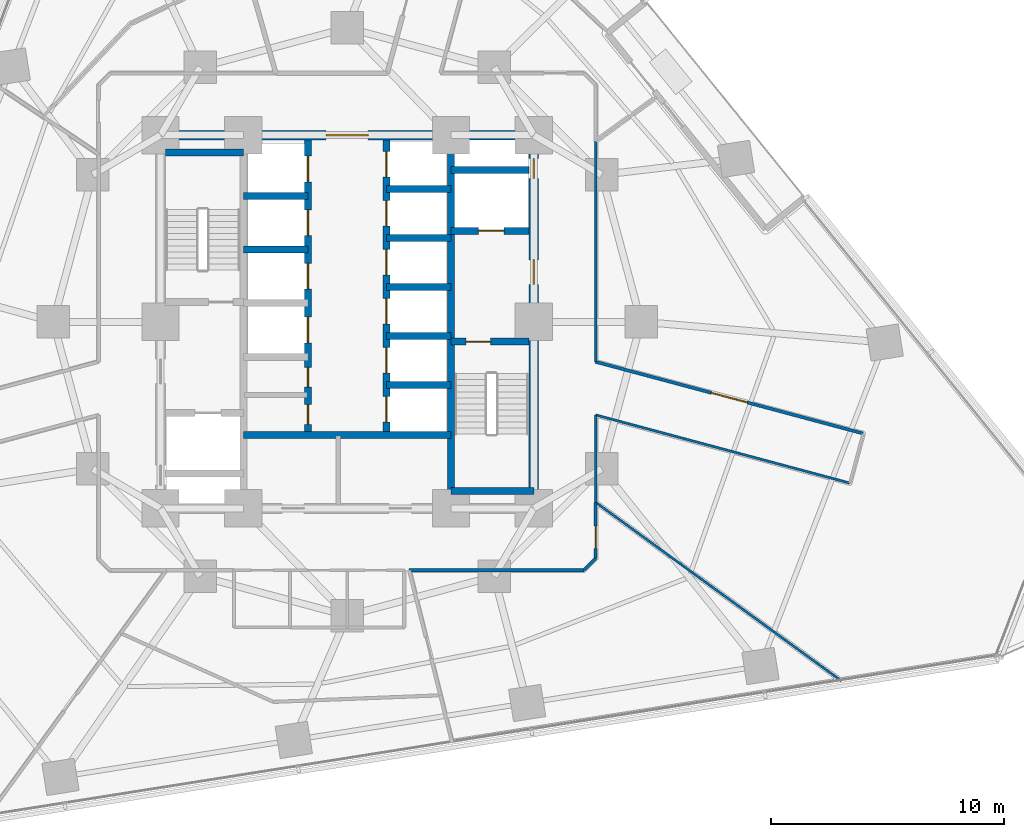
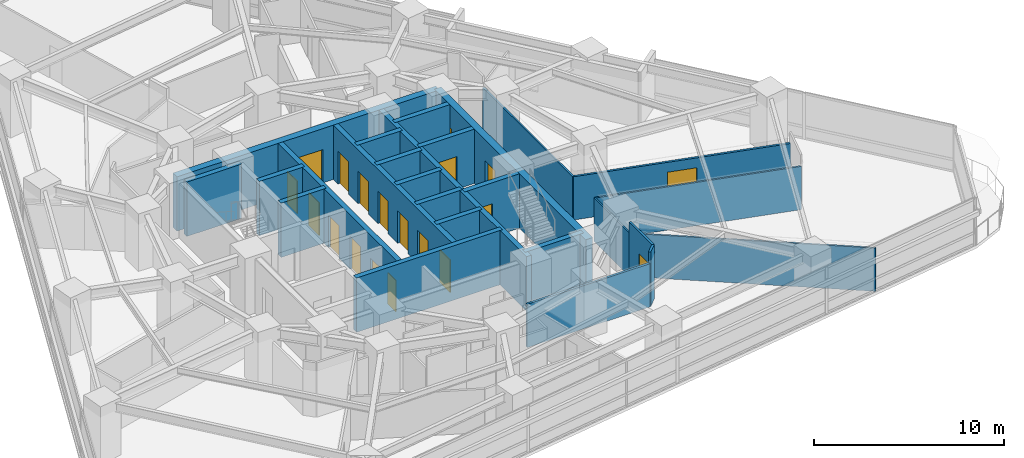
# One storey, part 8 of 14: 26 walls, 19 doors, 19 openings.
"""IFC4 building model written with IfcOpenShell, lengths in metres."""

from ifc_helpers import new_model, si_unit, direction, frame, frame_2d, origin, place, context, subcontext, project, spatial, rectangle, extrude, material, layer, layer_set, type_object, element, fill, save


model = new_model("IFC4")

# Units and contexts
model_context = context("Model", 3, precision=1e-05, world=origin(), true_north=direction((0.0, 1.0)))
body_context = subcontext(model_context, "Body", "Model", "MODEL_VIEW")
ifc_project = project(units=[si_unit("LENGTHUNIT", "METRE"), si_unit("AREAUNIT", "SQUARE_METRE"), si_unit("VOLUMEUNIT", "CUBIC_METRE"), si_unit("PLANEANGLEUNIT", "RADIAN"), si_unit("MASSUNIT", "GRAM", prefix="KILO")], contexts=[model_context])

# Site, building, storey
site_placement = place(None, origin())
site = spatial("IfcSite", under=ifc_project, at=site_placement, CompositionType="ELEMENT")
building_placement = place(site_placement, origin())
building = spatial("IfcBuilding", under=site, at=building_placement, Name="Terralouvre Media Tower", CompositionType="ELEMENT")
storey_placement = place(building_placement, frame((0.0, 0.0, 63.0)))
storey = spatial("IfcBuildingStorey", under=building, at=storey_placement, Name="L15", CompositionType="ELEMENT", Elevation=63.0)

# Walls
ifc_material_1 = material(Name="Concrete C50/60", Category="concrete")
ifc_layer_1 = layer(ifc_material_1, 0.300048828125, Name="Core Internal Shaft Wall CW-300")
ifc_layer_set_1 = layer_set([ifc_layer_1], Name="Concrete C50/60")
wall_type_1 = type_object("IfcWallType", Name="Core Internal Shaft Wall CW-300", PredefinedType="SHEAR", material=ifc_layer_set_1)
wall_1_placement = place(storey_placement, frame((4.449951171875, -7.7900390625, 0.0), z_axis=(0.0, 0.0, 1.0), x_axis=(0.0, 1.0, 0.0)))
element("IfcWall", 1, at=wall_1_placement, inside=storey, type_object=wall_type_1, Name="L15 Core Shaft Wall SPE", PredefinedType="SHEAR", context=body_context, shape_type="SweptSolid", body=[
    extrude(rectangle(XDim=15.580078125, YDim=0.300048828125, at=frame_2d((7.7900390625, 0.0))), origin(), (0.0, 0.0, 1.0), 3.5),
])
wall_2_placement = place(storey_placement, frame((-7.7900390625, 7.260009765625, 0.0), z_axis=(0.0, 0.0, 1.0), x_axis=(1.0, 0.0, 0.0)))
element("IfcWall", 2, at=wall_2_placement, inside=storey, type_object=wall_type_1, Name="L15 Core Shaft Wall ST1F", PredefinedType="SHEAR", context=body_context, shape_type="SweptSolid", body=[
    extrude(rectangle(XDim=3.340087890625, YDim=0.300048828125, at=frame_2d((1.669921875, 0.0))), origin(), (0.0, 0.0, 1.0), 3.5),
])

# Wall, opening, door
wall_3_placement = place(storey_placement, frame((4.449951171875, -0.85009765625, 0.0), z_axis=(0.0, 0.0, 1.0), x_axis=(1.0, 0.0, 0.0)))
wall_3 = element("IfcWall", 3, at=wall_3_placement, inside=storey, type_object=wall_type_1, Name="L15 Core Shaft Wall ST2D", PredefinedType="SHEAR", context=body_context, shape_type="SweptSolid", body=[
    extrude(rectangle(XDim=3.340087890625, YDim=0.300048828125, at=frame_2d((1.669921875, 0.0))), origin(), (0.0, 0.0, 1.0), 3.5),
])
opening_1_placement = place(wall_3_placement, frame((0.64990234375, 0.0, 0.0)))
opening_1 = element("IfcOpeningElement", 4, at=opening_1_placement, cuts=wall_3, Name="Opening FD-01-105X215", PredefinedType="OPENING", context=body_context, shape_type="SweptSolid", body=[
    extrude(rectangle(XDim=1.050048828125, YDim=2.14990234375, at=frame_2d((0.52490234375, 1.074951171875))), frame((0.0, 0.159912109375, 0.0), z_axis=(0.0, -1.0, 0.0), x_axis=(1.0, 0.0, 0.0)), (0.0, 0.0, 1.0), 0.320068359375),
])
ifc_material_2 = material(Name="Galvanised steel fire-resisting leaf", Category="steel")
door_type_1 = type_object("IfcDoorType", Name="Stair and Firefighting Lobby Fire Door FD-01 (1050x2150)", OperationType="NOTDEFINED", PredefinedType="DOOR", material=ifc_material_2)
door_1_placement = place(opening_1_placement, origin())
door_1 = element("IfcDoor", 5, at=door_1_placement, inside=storey, type_object=door_type_1, Name="L15 ST-02 Exit Stair Door", OperationType="SINGLE_SWING_RIGHT", OverallHeight=2.14990234375, OverallWidth=1.050048828125, PredefinedType="DOOR", context=body_context, shape_type="SweptSolid", body=[
    extrude(rectangle(XDim=1.050048828125, YDim=2.14990234375, at=frame_2d((0.52490234375, 1.074951171875))), frame((0.0, 0.02490234375, 0.0), z_axis=(0.0, -1.0, 0.0), x_axis=(1.0, 0.0, 0.0)), (0.0, 0.0, 1.0), 0.050048828125),
])
fill(opening_1, door_1)

# Wall
wall_4_placement = place(storey_placement, frame((4.449951171875, -7.260009765625, 0.0), z_axis=(0.0, 0.0, 1.0), x_axis=(1.0, 0.0, 0.0)))
element("IfcWall", 6, at=wall_4_placement, inside=storey, type_object=wall_type_1, Name="L15 Core Shaft Wall ST2F", PredefinedType="SHEAR", context=body_context, shape_type="SweptSolid", body=[
    extrude(rectangle(XDim=3.550048828125, YDim=0.300048828125, at=frame_2d((1.77490234375, 0.0))), origin(), (0.0, 0.0, 1.0), 3.5),
])

# Wall, opening, door
wall_5_placement = place(storey_placement, frame((4.449951171875, 3.89990234375, 0.0), z_axis=(0.0, 0.0, 1.0), x_axis=(1.0, 0.0, 0.0)))
wall_5 = element("IfcWall", 7, at=wall_5_placement, inside=storey, type_object=wall_type_1, Name="L15 Core Shaft Wall FF2S", PredefinedType="SHEAR", context=body_context, shape_type="SweptSolid", body=[
    extrude(rectangle(XDim=3.340087890625, YDim=0.300048828125, at=frame_2d((1.669921875, 0.0))), origin(), (0.0, 0.0, 1.0), 3.5),
])
opening_2_placement = place(wall_5_placement, frame((1.179931640625, 0.0, 0.0)))
opening_2 = element("IfcOpeningElement", 8, at=opening_2_placement, cuts=wall_5, Name="Opening LD-FF", PredefinedType="OPENING", context=body_context, shape_type="SweptSolid", body=[
    extrude(rectangle(XDim=1.10009765625, YDim=2.10009765625, at=frame_2d((0.550048828125, 1.050048828125))), frame((0.0, 0.159912109375, 0.0), z_axis=(0.0, -1.0, 0.0), x_axis=(1.0, 0.0, 0.0)), (0.0, 0.0, 1.0), 0.320068359375),
])
ifc_material_3 = material(Name="Stainless steel 316 handrail and balustrade", Category="steel")
door_type_2 = type_object("IfcDoorType", Name="Firefighting Lift Sliding Landing Door LD-FF", OperationType="SLIDING_TO_LEFT", PredefinedType="DOOR", material=ifc_material_3)
door_2_placement = place(opening_2_placement, origin())
door_2 = element("IfcDoor", 9, at=door_2_placement, inside=storey, type_object=door_type_2, Name="L15 Firefighting Lift FFL-02 Landing Door", OperationType="SLIDING_TO_LEFT", OverallHeight=2.10009765625, OverallWidth=1.10009765625, PredefinedType="DOOR", context=body_context, shape_type="SweptSolid", body=[
    extrude(rectangle(XDim=1.10009765625, YDim=2.10009765625, at=frame_2d((0.550048828125, 1.050048828125))), frame((0.0, 0.02490234375, 0.0), z_axis=(0.0, -1.0, 0.0), x_axis=(1.0, 0.0, 0.0)), (0.0, 0.0, 1.0), 0.050048828125),
])
fill(opening_2, door_2)

# Walls
wall_6_placement = place(storey_placement, frame((4.449951171875, 6.5, 0.0), z_axis=(0.0, 0.0, 1.0), x_axis=(1.0, 0.0, 0.0)))
element("IfcWall", 10, at=wall_6_placement, inside=storey, type_object=wall_type_1, Name="L15 Core Shaft Wall FF2N", PredefinedType="SHEAR", context=body_context, shape_type="SweptSolid", body=[
    extrude(rectangle(XDim=3.340087890625, YDim=0.300048828125, at=frame_2d((1.669921875, 0.0))), origin(), (0.0, 0.0, 1.0), 3.5),
])
wall_7_placement = place(storey_placement, frame((-4.449951171875, -4.85009765625, 0.0), z_axis=(0.0, 0.0, 1.0), x_axis=(1.0, 0.0, 0.0)))
element("IfcWall", 11, at=wall_7_placement, inside=storey, type_object=wall_type_1, Name="L15 Core Shaft Wall CSBN", PredefinedType="SHEAR", context=body_context, shape_type="SweptSolid", body=[
    extrude(rectangle(XDim=8.89990234375, YDim=0.300048828125, at=frame_2d((4.449951171875, 0.0))), origin(), (0.0, 0.0, 1.0), 3.5),
])

# Wall, openings, doors
wall_8_placement = place(storey_placement, frame((-1.679931640625, -4.85009765625, 0.0), z_axis=(0.0, 0.0, 1.0), x_axis=(0.0, 1.0, 0.0)))
wall_8 = element("IfcWall", 12, at=wall_8_placement, inside=storey, type_object=wall_type_1, Name="L15 Core Shaft Wall LBW", PredefinedType="SHEAR", context=body_context, shape_type="SweptSolid", body=[
    extrude(rectangle(XDim=12.64013671875, YDim=0.300048828125, at=frame_2d((6.320068359375, 0.0))), origin(), (0.0, 0.0, 1.0), 3.5),
])
opening_3_placement = place(wall_8_placement, frame((3.949951171875, 0.0, 0.0)))
opening_3 = element("IfcOpeningElement", 13, at=opening_3_placement, cuts=wall_8, Name="Opening LD-PL", PredefinedType="OPENING", context=body_context, shape_type="SweptSolid", body=[
    extrude(rectangle(XDim=1.10009765625, YDim=2.10009765625, at=frame_2d((0.550048828125, 1.050048828125))), frame((0.0, 0.159912109375, 0.0), z_axis=(0.0, -1.0, 0.0), x_axis=(1.0, 0.0, 0.0)), (0.0, 0.0, 1.0), 0.320068359375),
])
opening_4_placement = place(wall_8_placement, frame((6.25, 0.0, 0.0)))
opening_4 = element("IfcOpeningElement", 14, at=opening_4_placement, cuts=wall_8, Name="Opening LD-PL", PredefinedType="OPENING", context=body_context, shape_type="SweptSolid", body=[
    extrude(rectangle(XDim=1.10009765625, YDim=2.10009765625, at=frame_2d((0.550048828125, 1.050048828125))), frame((0.0, 0.159912109375, 0.0), z_axis=(0.0, -1.0, 0.0), x_axis=(1.0, 0.0, 0.0)), (0.0, 0.0, 1.0), 0.320068359375),
])
opening_5_placement = place(wall_8_placement, frame((8.550048828125, 0.0, 0.0)))
opening_5 = element("IfcOpeningElement", 15, at=opening_5_placement, cuts=wall_8, Name="Opening LD-PL", PredefinedType="OPENING", context=body_context, shape_type="SweptSolid", body=[
    extrude(rectangle(XDim=1.10009765625, YDim=2.10009765625, at=frame_2d((0.550048828125, 1.050048828125))), frame((0.0, 0.159912109375, 0.0), z_axis=(0.0, -1.0, 0.0), x_axis=(1.0, 0.0, 0.0)), (0.0, 0.0, 1.0), 0.320068359375),
])
opening_6_placement = place(wall_8_placement, frame((10.85009765625, 0.0, 0.0)))
opening_6 = element("IfcOpeningElement", 16, at=opening_6_placement, cuts=wall_8, Name="Opening LD-PL", PredefinedType="OPENING", context=body_context, shape_type="SweptSolid", body=[
    extrude(rectangle(XDim=1.10009765625, YDim=2.10009765625, at=frame_2d((0.550048828125, 1.050048828125))), frame((0.0, 0.159912109375, 0.0), z_axis=(0.0, -1.0, 0.0), x_axis=(1.0, 0.0, 0.0)), (0.0, 0.0, 1.0), 0.320068359375),
])
opening_7_placement = place(wall_8_placement, frame((0.449951171875, 0.0, 0.0)))
opening_7 = element("IfcOpeningElement", 17, at=opening_7_placement, cuts=wall_8, Name="Opening TD-R1", PredefinedType="OPENING", context=body_context, shape_type="SweptSolid", body=[
    extrude(rectangle(XDim=0.85009765625, YDim=2.02001953125, at=frame_2d((0.425048828125, 1.010009765625))), frame((0.0, 0.159912109375, 0.0), z_axis=(0.0, -1.0, 0.0), x_axis=(1.0, 0.0, 0.0)), (0.0, 0.0, 1.0), 0.320068359375),
])
opening_8_placement = place(wall_8_placement, frame((2.050048828125, 0.0, 0.0)))
opening_8 = element("IfcOpeningElement", 18, at=opening_8_placement, cuts=wall_8, Name="Opening TD-R1", PredefinedType="OPENING", context=body_context, shape_type="SweptSolid", body=[
    extrude(rectangle(XDim=0.85009765625, YDim=2.02001953125, at=frame_2d((0.425048828125, 1.010009765625))), frame((0.0, 0.159912109375, 0.0), z_axis=(0.0, -1.0, 0.0), x_axis=(1.0, 0.0, 0.0)), (0.0, 0.0, 1.0), 0.320068359375),
])
ifc_material_4 = material(Name="Stainless steel 316 handrail and balustrade", Category="steel")
door_type_3 = type_object("IfcDoorType", Name="Passenger Lift Sliding Landing Door LD-PL", OperationType="SLIDING_TO_LEFT", PredefinedType="DOOR", material=ifc_material_4)
door_3_placement = place(opening_3_placement, origin())
door_3 = element("IfcDoor", 19, at=door_3_placement, inside=storey, type_object=door_type_3, Name="L15 Low-Rise Lift PL-L1 Landing Door", OperationType="SLIDING_TO_LEFT", OverallHeight=2.10009765625, OverallWidth=1.10009765625, PredefinedType="DOOR", context=body_context, shape_type="SweptSolid", body=[
    extrude(rectangle(XDim=1.10009765625, YDim=2.10009765625, at=frame_2d((0.550048828125, 1.050048828125))), frame((0.0, 0.02490234375, 0.0), z_axis=(0.0, -1.0, 0.0), x_axis=(1.0, 0.0, 0.0)), (0.0, 0.0, 1.0), 0.050048828125),
])
fill(opening_3, door_3)
door_4_placement = place(opening_4_placement, origin())
door_4 = element("IfcDoor", 20, at=door_4_placement, inside=storey, type_object=door_type_3, Name="L15 Low-Rise Lift PL-L2 Landing Door", OperationType="SLIDING_TO_LEFT", OverallHeight=2.10009765625, OverallWidth=1.10009765625, PredefinedType="DOOR", context=body_context, shape_type="SweptSolid", body=[
    extrude(rectangle(XDim=1.10009765625, YDim=2.10009765625, at=frame_2d((0.550048828125, 1.050048828125))), frame((0.0, 0.02490234375, 0.0), z_axis=(0.0, -1.0, 0.0), x_axis=(1.0, 0.0, 0.0)), (0.0, 0.0, 1.0), 0.050048828125),
])
fill(opening_4, door_4)
door_5_placement = place(opening_5_placement, origin())
door_5 = element("IfcDoor", 21, at=door_5_placement, inside=storey, type_object=door_type_3, Name="L15 Low-Rise Lift PL-L3 Landing Door", OperationType="SLIDING_TO_LEFT", OverallHeight=2.10009765625, OverallWidth=1.10009765625, PredefinedType="DOOR", context=body_context, shape_type="SweptSolid", body=[
    extrude(rectangle(XDim=1.10009765625, YDim=2.10009765625, at=frame_2d((0.550048828125, 1.050048828125))), frame((0.0, 0.02490234375, 0.0), z_axis=(0.0, -1.0, 0.0), x_axis=(1.0, 0.0, 0.0)), (0.0, 0.0, 1.0), 0.050048828125),
])
fill(opening_5, door_5)
door_6_placement = place(opening_6_placement, origin())
door_6 = element("IfcDoor", 22, at=door_6_placement, inside=storey, type_object=door_type_3, Name="L15 Low-Rise Lift PL-L4 Landing Door", OperationType="SLIDING_TO_LEFT", OverallHeight=2.10009765625, OverallWidth=1.10009765625, PredefinedType="DOOR", context=body_context, shape_type="SweptSolid", body=[
    extrude(rectangle(XDim=1.10009765625, YDim=2.10009765625, at=frame_2d((0.550048828125, 1.050048828125))), frame((0.0, 0.02490234375, 0.0), z_axis=(0.0, -1.0, 0.0), x_axis=(1.0, 0.0, 0.0)), (0.0, 0.0, 1.0), 0.050048828125),
])
fill(opening_6, door_6)
ifc_material_5 = material(Name="Galvanised steel fire-resisting leaf", Category="steel")
door_type_4 = type_object("IfcDoorType", Name="Riser Inspection Access Trapdoor TD-R1", OperationType="NOTDEFINED", PredefinedType="TRAPDOOR", material=ifc_material_5)
door_7_placement = place(opening_7_placement, origin())
door_7 = element("IfcDoor", 23, at=door_7_placement, inside=storey, type_object=door_type_4, Name="L15 Core Cleaners Closet Door", OperationType="SINGLE_SWING_LEFT", OverallHeight=2.02001953125, OverallWidth=0.85009765625, PredefinedType="TRAPDOOR", context=body_context, shape_type="SweptSolid", body=[
    extrude(rectangle(XDim=0.85009765625, YDim=2.02001953125, at=frame_2d((0.425048828125, 1.010009765625))), frame((0.0, 0.02490234375, 0.0), z_axis=(0.0, -1.0, 0.0), x_axis=(1.0, 0.0, 0.0)), (0.0, 0.0, 1.0), 0.050048828125),
])
fill(opening_7, door_7)
door_8_placement = place(opening_8_placement, origin())
door_8 = element("IfcDoor", 24, at=door_8_placement, inside=storey, type_object=door_type_4, Name="L15 Core Metering Closet Door", OperationType="SINGLE_SWING_RIGHT", OverallHeight=2.02001953125, OverallWidth=0.85009765625, PredefinedType="TRAPDOOR", context=body_context, shape_type="SweptSolid", body=[
    extrude(rectangle(XDim=0.85009765625, YDim=2.02001953125, at=frame_2d((0.425048828125, 1.010009765625))), frame((0.0, 0.02490234375, 0.0), z_axis=(0.0, -1.0, 0.0), x_axis=(1.0, 0.0, 0.0)), (0.0, 0.0, 1.0), 0.050048828125),
])
fill(opening_8, door_8)

wall_9_placement = place(storey_placement, frame((1.679931640625, -4.85009765625, 0.0), z_axis=(0.0, 0.0, 1.0), x_axis=(0.0, 1.0, 0.0)))
wall_9 = element("IfcWall", 25, at=wall_9_placement, inside=storey, type_object=wall_type_1, Name="L15 Core Shaft Wall LBE", PredefinedType="SHEAR", context=body_context, shape_type="SweptSolid", body=[
    extrude(rectangle(XDim=12.64013671875, YDim=0.300048828125, at=frame_2d((6.320068359375, 0.0))), origin(), (0.0, 0.0, 1.0), 3.5),
])
opening_9_placement = place(wall_9_placement, frame((0.550048828125, 0.0, 0.0)))
opening_9 = element("IfcOpeningElement", 26, at=opening_9_placement, cuts=wall_9, Name="Opening LD-PL", PredefinedType="OPENING", context=body_context, shape_type="SweptSolid", body=[
    extrude(rectangle(XDim=1.10009765625, YDim=2.10009765625, at=frame_2d((0.550048828125, 1.050048828125))), frame((0.0, 0.159912109375, 0.0), z_axis=(0.0, -1.0, 0.0), x_axis=(1.0, 0.0, 0.0)), (0.0, 0.0, 1.0), 0.320068359375),
])
opening_10_placement = place(wall_9_placement, frame((2.64990234375, 0.0, 0.0)))
opening_10 = element("IfcOpeningElement", 27, at=opening_10_placement, cuts=wall_9, Name="Opening LD-PL", PredefinedType="OPENING", context=body_context, shape_type="SweptSolid", body=[
    extrude(rectangle(XDim=1.10009765625, YDim=2.10009765625, at=frame_2d((0.550048828125, 1.050048828125))), frame((0.0, 0.159912109375, 0.0), z_axis=(0.0, -1.0, 0.0), x_axis=(1.0, 0.0, 0.0)), (0.0, 0.0, 1.0), 0.320068359375),
])
opening_11_placement = place(wall_9_placement, frame((4.75, 0.0, 0.0)))
opening_11 = element("IfcOpeningElement", 28, at=opening_11_placement, cuts=wall_9, Name="Opening LD-PL", PredefinedType="OPENING", context=body_context, shape_type="SweptSolid", body=[
    extrude(rectangle(XDim=1.10009765625, YDim=2.10009765625, at=frame_2d((0.550048828125, 1.050048828125))), frame((0.0, 0.159912109375, 0.0), z_axis=(0.0, -1.0, 0.0), x_axis=(1.0, 0.0, 0.0)), (0.0, 0.0, 1.0), 0.320068359375),
])
opening_12_placement = place(wall_9_placement, frame((6.85009765625, 0.0, 0.0)))
opening_12 = element("IfcOpeningElement", 29, at=opening_12_placement, cuts=wall_9, Name="Opening LD-PL", PredefinedType="OPENING", context=body_context, shape_type="SweptSolid", body=[
    extrude(rectangle(XDim=1.10009765625, YDim=2.10009765625, at=frame_2d((0.550048828125, 1.050048828125))), frame((0.0, 0.159912109375, 0.0), z_axis=(0.0, -1.0, 0.0), x_axis=(1.0, 0.0, 0.0)), (0.0, 0.0, 1.0), 0.320068359375),
])
opening_13_placement = place(wall_9_placement, frame((8.949951171875, 0.0, 0.0)))
opening_13 = element("IfcOpeningElement", 30, at=opening_13_placement, cuts=wall_9, Name="Opening LD-PL", PredefinedType="OPENING", context=body_context, shape_type="SweptSolid", body=[
    extrude(rectangle(XDim=1.10009765625, YDim=2.10009765625, at=frame_2d((0.550048828125, 1.050048828125))), frame((0.0, 0.159912109375, 0.0), z_axis=(0.0, -1.0, 0.0), x_axis=(1.0, 0.0, 0.0)), (0.0, 0.0, 1.0), 0.320068359375),
])
opening_14_placement = place(wall_9_placement, frame((11.050048828125, 0.0, 0.0)))
opening_14 = element("IfcOpeningElement", 31, at=opening_14_placement, cuts=wall_9, Name="Opening LD-PL", PredefinedType="OPENING", context=body_context, shape_type="SweptSolid", body=[
    extrude(rectangle(XDim=1.10009765625, YDim=2.10009765625, at=frame_2d((0.550048828125, 1.050048828125))), frame((0.0, 0.159912109375, 0.0), z_axis=(0.0, -1.0, 0.0), x_axis=(1.0, 0.0, 0.0)), (0.0, 0.0, 1.0), 0.320068359375),
])
door_9_placement = place(opening_9_placement, origin())
door_9 = element("IfcDoor", 32, at=door_9_placement, inside=storey, type_object=door_type_3, Name="L15 High-Rise Lift PL-H1 Landing Door", OperationType="SLIDING_TO_LEFT", OverallHeight=2.10009765625, OverallWidth=1.10009765625, PredefinedType="DOOR", context=body_context, shape_type="SweptSolid", body=[
    extrude(rectangle(XDim=1.10009765625, YDim=2.10009765625, at=frame_2d((0.550048828125, 1.050048828125))), frame((0.0, 0.02490234375, 0.0), z_axis=(0.0, -1.0, 0.0), x_axis=(1.0, 0.0, 0.0)), (0.0, 0.0, 1.0), 0.050048828125),
])
fill(opening_9, door_9)
door_10_placement = place(opening_10_placement, origin())
door_10 = element("IfcDoor", 33, at=door_10_placement, inside=storey, type_object=door_type_3, Name="L15 High-Rise Lift PL-H2 Landing Door", OperationType="SLIDING_TO_LEFT", OverallHeight=2.10009765625, OverallWidth=1.10009765625, PredefinedType="DOOR", context=body_context, shape_type="SweptSolid", body=[
    extrude(rectangle(XDim=1.10009765625, YDim=2.10009765625, at=frame_2d((0.550048828125, 1.050048828125))), frame((0.0, 0.02490234375, 0.0), z_axis=(0.0, -1.0, 0.0), x_axis=(1.0, 0.0, 0.0)), (0.0, 0.0, 1.0), 0.050048828125),
])
fill(opening_10, door_10)
door_11_placement = place(opening_11_placement, origin())
door_11 = element("IfcDoor", 34, at=door_11_placement, inside=storey, type_object=door_type_3, Name="L15 High-Rise Lift PL-H3 Landing Door", OperationType="SLIDING_TO_LEFT", OverallHeight=2.10009765625, OverallWidth=1.10009765625, PredefinedType="DOOR", context=body_context, shape_type="SweptSolid", body=[
    extrude(rectangle(XDim=1.10009765625, YDim=2.10009765625, at=frame_2d((0.550048828125, 1.050048828125))), frame((0.0, 0.02490234375, 0.0), z_axis=(0.0, -1.0, 0.0), x_axis=(1.0, 0.0, 0.0)), (0.0, 0.0, 1.0), 0.050048828125),
])
fill(opening_11, door_11)
door_12_placement = place(opening_12_placement, origin())
door_12 = element("IfcDoor", 35, at=door_12_placement, inside=storey, type_object=door_type_3, Name="L15 Mid-Rise Lift PL-M1 Landing Door", OperationType="SLIDING_TO_LEFT", OverallHeight=2.10009765625, OverallWidth=1.10009765625, PredefinedType="DOOR", context=body_context, shape_type="SweptSolid", body=[
    extrude(rectangle(XDim=1.10009765625, YDim=2.10009765625, at=frame_2d((0.550048828125, 1.050048828125))), frame((0.0, 0.02490234375, 0.0), z_axis=(0.0, -1.0, 0.0), x_axis=(1.0, 0.0, 0.0)), (0.0, 0.0, 1.0), 0.050048828125),
])
fill(opening_12, door_12)
door_13_placement = place(opening_13_placement, origin())
door_13 = element("IfcDoor", 36, at=door_13_placement, inside=storey, type_object=door_type_3, Name="L15 Mid-Rise Lift PL-M2 Landing Door", OperationType="SLIDING_TO_LEFT", OverallHeight=2.10009765625, OverallWidth=1.10009765625, PredefinedType="DOOR", context=body_context, shape_type="SweptSolid", body=[
    extrude(rectangle(XDim=1.10009765625, YDim=2.10009765625, at=frame_2d((0.550048828125, 1.050048828125))), frame((0.0, 0.02490234375, 0.0), z_axis=(0.0, -1.0, 0.0), x_axis=(1.0, 0.0, 0.0)), (0.0, 0.0, 1.0), 0.050048828125),
])
fill(opening_13, door_13)
door_14_placement = place(opening_14_placement, origin())
door_14 = element("IfcDoor", 37, at=door_14_placement, inside=storey, type_object=door_type_3, Name="L15 Mid-Rise Lift PL-M3 Landing Door", OperationType="SLIDING_TO_LEFT", OverallHeight=2.10009765625, OverallWidth=1.10009765625, PredefinedType="DOOR", context=body_context, shape_type="SweptSolid", body=[
    extrude(rectangle(XDim=1.10009765625, YDim=2.10009765625, at=frame_2d((0.550048828125, 1.050048828125))), frame((0.0, 0.02490234375, 0.0), z_axis=(0.0, -1.0, 0.0), x_axis=(1.0, 0.0, 0.0)), (0.0, 0.0, 1.0), 0.050048828125),
])
fill(opening_14, door_14)

# Walls
for number, where, z_axis, x_axis, name in (
    (38, (-4.449951171875, 3.10009765625, 0.0), (0.0, 0.0, 1.0), (1.0, 0.0, 0.0), "L15 Core Shaft Wall PLLD2"),
    (39, (-4.449951171875, 5.39990234375, 0.0), (0.0, 0.0, 1.0), (1.0, 0.0, 0.0), "L15 Core Shaft Wall PLLD3"),
    (40, (1.679931640625, 1.5, 0.0), (0.0, 0.0, 1.0), (1.0, 0.0, 0.0), "L15 Core Shaft Wall PLMD0"),
    (41, (1.679931640625, 3.60009765625, 0.0), (0.0, 0.0, 1.0), (1.0, 0.0, 0.0), "L15 Core Shaft Wall PLMD1"),
    (42, (1.679931640625, 5.699951171875, 0.0), (0.0, 0.0, 1.0), (1.0, 0.0, 0.0), "L15 Core Shaft Wall PLMD2"),
    (43, (1.679931640625, -2.699951171875, 0.0), (0.0, 0.0, 1.0), (1.0, 0.0, 0.0), "L15 Core Shaft Wall PLHD1"),
    (44, (1.679931640625, -0.60009765625, 0.0), (0.0, 0.0, 1.0), (1.0, 0.0, 0.0), "L15 Core Shaft Wall PLHD2"),
):
    element("IfcWall", number, at=place(storey_placement, frame(where, z_axis=z_axis, x_axis=x_axis)), inside=storey, type_object=wall_type_1, Name=name, PredefinedType="SHEAR", context=body_context, shape_type="SweptSolid", body=[
        extrude(rectangle(XDim=2.77001953125, YDim=0.300048828125, at=frame_2d((1.385009765625, 0.0))), origin(), (0.0, 0.0, 1.0), 3.5),
    ])

# Wall, openings, doors
ifc_material_6 = material(Name="Concrete C60/75", Category="concrete")
ifc_layer_2 = layer(ifc_material_6, 0.419921875, Name="Core Reinforced Concrete Shear Wall CW-420")
ifc_layer_set_2 = layer_set([ifc_layer_2], Name="Concrete C60/75")
wall_type_2 = type_object("IfcWallType", Name="Core Reinforced Concrete Shear Wall CW-420", PredefinedType="SHEAR", material=ifc_layer_set_2)
wall_10_placement = place(storey_placement, frame((8.0, -8.0, 0.0), z_axis=(0.0, 0.0, 1.0), x_axis=(0.0, 1.0, 0.0)))
wall_10 = element("IfcWall", 45, at=wall_10_placement, inside=storey, type_object=wall_type_2, Name="L15 E Core Shear Wall", PredefinedType="SHEAR", context=body_context, shape_type="SweptSolid", body=[
    extrude(rectangle(XDim=16.0, YDim=0.419921875, at=frame_2d((8.0, 0.0))), origin(), (0.0, 0.0, 1.0), 3.5),
])
opening_15_placement = place(wall_10_placement, frame((9.60009765625, 0.0, 0.0)))
opening_15 = element("IfcOpeningElement", 46, at=opening_15_placement, cuts=wall_10, Name="Opening FD-01-105X215", PredefinedType="OPENING", context=body_context, shape_type="SweptSolid", body=[
    extrude(rectangle(XDim=1.050048828125, YDim=2.14990234375, at=frame_2d((0.52490234375, 1.074951171875))), frame((0.0, 0.219970703125, 0.0), z_axis=(0.0, -1.0, 0.0), x_axis=(1.0, 0.0, 0.0)), (0.0, 0.0, 1.0), 0.43994140625),
])
opening_16_placement = place(wall_10_placement, frame((14.148193359375, 0.0, 0.0)))
opening_16 = element("IfcOpeningElement", 47, at=opening_16_placement, cuts=wall_10, Name="Opening TD-R1", PredefinedType="OPENING", context=body_context, shape_type="SweptSolid", body=[
    extrude(rectangle(XDim=0.85009765625, YDim=2.02001953125, at=frame_2d((0.425048828125, 1.010009765625))), frame((0.0, 0.219970703125, 0.0), z_axis=(0.0, -1.0, 0.0), x_axis=(1.0, 0.0, 0.0)), (0.0, 0.0, 1.0), 0.43994140625),
])
door_15_placement = place(opening_16_placement, origin())
door_15 = element("IfcDoor", 48, at=door_15_placement, inside=storey, type_object=door_type_4, Name="L15 East Comms Riser Access Trapdoor", OperationType="SINGLE_SWING_RIGHT", OverallHeight=2.02001953125, OverallWidth=0.85009765625, PredefinedType="TRAPDOOR", context=body_context, shape_type="SweptSolid", body=[
    extrude(rectangle(XDim=0.85009765625, YDim=2.02001953125, at=frame_2d((0.425048828125, 1.010009765625))), frame((0.0, 0.02490234375, 0.0), z_axis=(0.0, -1.0, 0.0), x_axis=(1.0, 0.0, 0.0)), (0.0, 0.0, 1.0), 0.050048828125),
])
fill(opening_16, door_15)
door_16_placement = place(opening_15_placement, origin())
door_16 = element("IfcDoor", 49, at=door_16_placement, inside=storey, type_object=door_type_1, Name="L15 East Firefighting Lobby Entry Door", OperationType="SINGLE_SWING_LEFT", OverallHeight=2.14990234375, OverallWidth=1.050048828125, PredefinedType="DOOR", context=body_context, shape_type="SweptSolid", body=[
    extrude(rectangle(XDim=1.050048828125, YDim=2.14990234375, at=frame_2d((0.52490234375, 1.074951171875))), frame((0.0, 0.02490234375, 0.0), z_axis=(0.0, -1.0, 0.0), x_axis=(1.0, 0.0, 0.0)), (0.0, 0.0, 1.0), 0.050048828125),
])
fill(opening_15, door_16)

# Wall, opening, door
wall_11_placement = place(storey_placement, frame((-8.0, 8.0, 0.0), z_axis=(0.0, 0.0, 1.0), x_axis=(1.0, 0.0, 0.0)))
wall_11 = element("IfcWall", 50, at=wall_11_placement, inside=storey, type_object=wall_type_2, Name="L15 N Core Shear Wall", PredefinedType="SHEAR", context=body_context, shape_type="SweptSolid", body=[
    extrude(rectangle(XDim=16.0, YDim=0.419921875, at=frame_2d((8.0, 0.0))), origin(), (0.0, 0.0, 1.0), 3.5),
])
opening_17_placement = place(wall_11_placement, frame((7.10009765625, 0.0, 0.0)))
opening_17 = element("IfcOpeningElement", 51, at=opening_17_placement, cuts=wall_11, Name="Opening FD-03", PredefinedType="OPENING", context=body_context, shape_type="SweptSolid", body=[
    extrude(rectangle(XDim=1.800048828125, YDim=2.14990234375, at=frame_2d((0.89990234375, 1.074951171875))), frame((0.0, 0.219970703125, 0.0), z_axis=(0.0, -1.0, 0.0), x_axis=(1.0, 0.0, 0.0)), (0.0, 0.0, 1.0), 0.43994140625),
])
ifc_material_7 = material(Name="Galvanised steel fire-resisting leaf", Category="steel")
door_type_5 = type_object("IfcDoorType", Name="Corridor Smoke-Control Double Door FD-03", OperationType="DOUBLE_DOOR_SINGLE_SWING", PredefinedType="DOOR", material=ifc_material_7)
door_17_placement = place(opening_17_placement, origin())
door_17 = element("IfcDoor", 52, at=door_17_placement, inside=storey, type_object=door_type_5, Name="L15 Central Lift Lobby Portal Door", OperationType="DOUBLE_DOOR_SINGLE_SWING", OverallHeight=2.14990234375, OverallWidth=1.800048828125, PredefinedType="DOOR", context=body_context, shape_type="SweptSolid", body=[
    extrude(rectangle(XDim=1.800048828125, YDim=2.14990234375, at=frame_2d((0.89990234375, 1.074951171875))), frame((0.0, 0.02490234375, 0.0), z_axis=(0.0, -1.0, 0.0), x_axis=(1.0, 0.0, 0.0)), (0.0, 0.0, 1.0), 0.050048828125),
])
fill(opening_17, door_17)

# Walls
ifc_material_8 = material(Name="Low-iron laminated double glazing with solar-control coating", Category="glass")
ifc_layer_3 = layer(ifc_material_8, 0.10009765625, Name="Demountable Glazed Office Partition PT-GL100")
ifc_layer_set_3 = layer_set([ifc_layer_3], Name="Low-iron laminated double glazing with solar-control coating")
wall_type_3 = type_object("IfcWallType", Name="Demountable Glazed Office Partition PT-GL100", PredefinedType="MOVABLE", material=ifc_layer_set_3)
wall_12_placement = place(storey_placement, frame((10.64990234375, -7.738037109375, 0.0), z_axis=(0.0, 0.0, 1.0), x_axis=(0.0, 1.0, 0.0)))
element("IfcWall", 53, at=wall_12_placement, inside=storey, type_object=wall_type_3, Name="L15 Interior Partition 001", PredefinedType="MOVABLE", context=body_context, shape_type="SweptSolid", body=[
    extrude(rectangle(XDim=3.74609375, YDim=0.10009765625, at=frame_2d((1.873046875, 0.0))), origin(), (0.0, 0.0, 1.0), 2.784912109375),
])
wall_13_placement = place(storey_placement, frame((10.64990234375, -3.991943359375, 0.0), z_axis=(0.0, 0.0, 1.0), x_axis=(0.965906888357, -0.258889712088, 0.0)))
element("IfcWall", 54, at=wall_13_placement, inside=storey, type_object=wall_type_3, Name="L15 Interior Partition 002", PredefinedType="MOVABLE", context=body_context, shape_type="SweptSolid", body=[
    extrude(rectangle(XDim=11.279541015625, YDim=0.10009765625, at=frame_2d((5.6396484375, 0.0))), origin(), (0.0, 0.0, 1.0), 2.784912109375),
])
wall_14_placement = place(storey_placement, frame((10.64990234375, -1.715087890625, 0.0), z_axis=(0.0, 0.0, 1.0), x_axis=(0.0, 1.0, 0.0)))
element("IfcWall", 55, at=wall_14_placement, inside=storey, type_object=wall_type_3, Name="L15 Interior Partition 005", PredefinedType="MOVABLE", context=body_context, shape_type="SweptSolid", body=[
    extrude(rectangle(XDim=9.453125, YDim=0.10009765625, at=frame_2d((4.7265625, 0.0))), origin(), (0.0, 0.0, 1.0), 2.784912109375),
])
wall_15_placement = place(storey_placement, frame((10.64990234375, -7.738037109375, 0.0), z_axis=(0.0, 0.0, 1.0), x_axis=(0.809048025811, -0.587742538814, 0.0)))
element("IfcWall", 56, at=wall_15_placement, inside=storey, type_object=wall_type_3, Name="L15 Interior Partition 033", PredefinedType="MOVABLE", context=body_context, shape_type="SweptSolid", body=[
    extrude(rectangle(XDim=13.025390625, YDim=0.10009765625, at=frame_2d((6.5126953125, 0.0))), origin(), (0.0, 0.0, 1.0), 2.784912109375),
])

# Wall, opening, door
ifc_material_9 = material(Name="Fire-rated gypsum board drywall partition")
ifc_layer_4 = layer(ifc_material_9, 0.135009765625, Name="Newsroom Acoustic Partition PT-135")
ifc_layer_set_4 = layer_set([ifc_layer_4], Name="Fire-rated gypsum board drywall partition")
wall_type_4 = type_object("IfcWallType", Name="Newsroom Acoustic Partition PT-135", PredefinedType="PARTITIONING", material=ifc_layer_set_4)
wall_16_placement = place(storey_placement, frame((22.114990234375, -4.787109375, 0.0), z_axis=(0.0, 0.0, 1.0), x_axis=(-0.965926659449, 0.258815935688, 0.0)))
wall_16 = element("IfcWall", 57, at=wall_16_placement, inside=storey, type_object=wall_type_4, Name="L15 Interior Partition 004", PredefinedType="PARTITIONING", context=body_context, shape_type="SweptSolid", body=[
    extrude(rectangle(XDim=11.86962890625, YDim=0.135009765625, at=frame_2d((5.934814453125, 0.0))), origin(), (0.0, 0.0, 1.0), 2.784912109375),
])
opening_18_placement = place(wall_16_placement, frame((5.134765625, 0.0, 0.0)))
opening_18 = element("IfcOpeningElement", 58, at=opening_18_placement, cuts=wall_16, Name="Opening ID-04-160X215", PredefinedType="OPENING", context=body_context, shape_type="SweptSolid", body=[
    extrude(rectangle(XDim=1.60009765625, YDim=2.14990234375, at=frame_2d((0.800048828125, 1.074951171875))), frame((0.0, 0.077392578125, 0.0), z_axis=(0.0, -1.0, 0.0), x_axis=(1.0, 0.0, 0.0)), (0.0, 0.0, 1.0), 0.155029296875),
])
ifc_material_10 = material(Name="Engineered hardwood acoustic timber leaf", Category="wood")
door_type_6 = type_object("IfcDoorType", Name="Conference Double Acoustic Door ID-04 (1600x2150)", OperationType="DOUBLE_DOOR_SINGLE_SWING", PredefinedType="DOOR", material=ifc_material_10)
door_18_placement = place(opening_18_placement, origin())
door_18 = element("IfcDoor", 59, at=door_18_placement, inside=storey, type_object=door_type_6, Name="L15 Design Critique Boardroom 1 Door", OperationType="DOUBLE_DOOR_SINGLE_SWING", OverallHeight=2.14990234375, OverallWidth=1.60009765625, PredefinedType="DOOR", context=body_context, shape_type="SweptSolid", body=[
    extrude(rectangle(XDim=1.60009765625, YDim=2.14990234375, at=frame_2d((0.800048828125, 1.074951171875))), frame((0.0, 0.02490234375, 0.0), z_axis=(0.0, -1.0, 0.0), x_axis=(1.0, 0.0, 0.0)), (0.0, 0.0, 1.0), 0.050048828125),
])
fill(opening_18, door_18)

# Walls
wall_17_placement = place(storey_placement, frame((2.655029296875, -10.64990234375, 0.0), z_axis=(0.0, 0.0, 1.0), x_axis=(1.0, 0.0, 0.0)))
element("IfcWall", 60, at=wall_17_placement, inside=storey, type_object=wall_type_4, Name="L15 Interior Partition 026", PredefinedType="PARTITIONING", context=body_context, shape_type="SweptSolid", body=[
    extrude(rectangle(XDim=7.494873046875, YDim=0.135009765625, at=frame_2d((3.74755859375, 0.0))), origin(), (0.0, 0.0, 1.0), 2.784912109375),
])
wall_18_placement = place(storey_placement, frame((10.14990234375, -10.64990234375, 0.0), z_axis=(0.0, 0.0, 1.0), x_axis=(0.707106781187, 0.707106781187, 0.0)))
element("IfcWall", 61, at=wall_18_placement, inside=storey, type_object=wall_type_4, Name="L15 Interior Partition 027", PredefinedType="PARTITIONING", context=body_context, shape_type="SweptSolid", body=[
    extrude(rectangle(XDim=0.70703125, YDim=0.135009765625, at=frame_2d((0.353515625, 0.0))), origin(), (0.0, 0.0, 1.0), 3.5),
])

# Wall, opening, door
wall_19_placement = place(storey_placement, frame((10.64990234375, -10.14990234375, 0.0), z_axis=(0.0, 0.0, 1.0), x_axis=(0.0, 1.0, 0.0)))
wall_19 = element("IfcWall", 62, at=wall_19_placement, inside=storey, type_object=wall_type_4, Name="L15 Interior Partition 028", PredefinedType="PARTITIONING", context=body_context, shape_type="SweptSolid", body=[
    extrude(rectangle(XDim=2.411865234375, YDim=0.135009765625, at=frame_2d((1.2060546875, 0.0))), origin(), (0.0, 0.0, 1.0), 3.5),
])
opening_19_placement = place(wall_19_placement, frame((0.441650390625, 0.0, 0.0)))
opening_19 = element("IfcOpeningElement", 63, at=opening_19_placement, cuts=wall_19, Name="Opening ID-02-95X210", PredefinedType="OPENING", context=body_context, shape_type="SweptSolid", body=[
    extrude(rectangle(XDim=0.949951171875, YDim=2.10009765625, at=frame_2d((0.47509765625, 1.050048828125))), frame((0.0, 0.077392578125, 0.0), z_axis=(0.0, -1.0, 0.0), x_axis=(1.0, 0.0, 0.0)), (0.0, 0.0, 1.0), 0.155029296875),
])
ifc_material_11 = material(Name="Engineered hardwood acoustic timber leaf", Category="wood")
door_type_7 = type_object("IfcDoorType", Name="Office and Meeting Room Door ID-02 (950x2100)", OperationType="NOTDEFINED", PredefinedType="DOOR", material=ifc_material_11)
door_19_placement = place(opening_19_placement, origin())
door_19 = element("IfcDoor", 64, at=door_19_placement, inside=storey, type_object=door_type_7, Name="L15 Analytics Team Office 8 Door", OperationType="SINGLE_SWING_RIGHT", OverallHeight=2.10009765625, OverallWidth=0.949951171875, PredefinedType="DOOR", context=body_context, shape_type="SweptSolid", body=[
    extrude(rectangle(XDim=0.949951171875, YDim=2.10009765625, at=frame_2d((0.47509765625, 1.050048828125))), frame((0.0, 0.02490234375, 0.0), z_axis=(0.0, -1.0, 0.0), x_axis=(1.0, 0.0, 0.0)), (0.0, 0.0, 1.0), 0.050048828125),
])
fill(opening_19, door_19)

save(model, "model.ifc")
